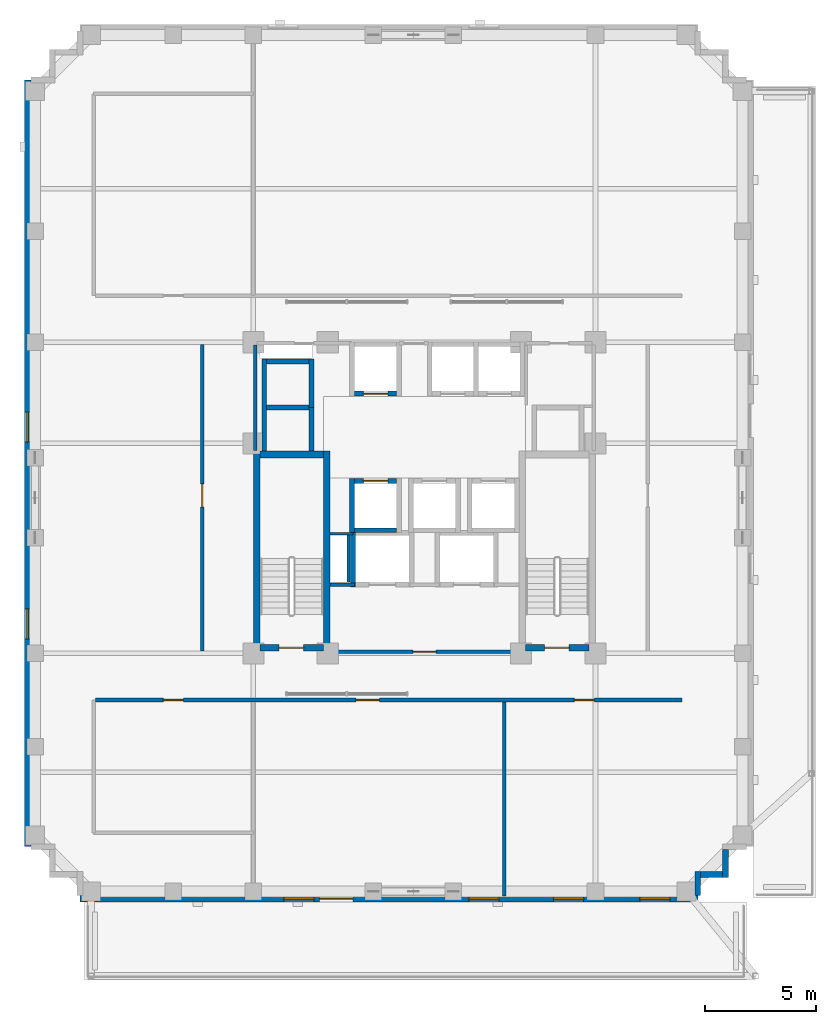
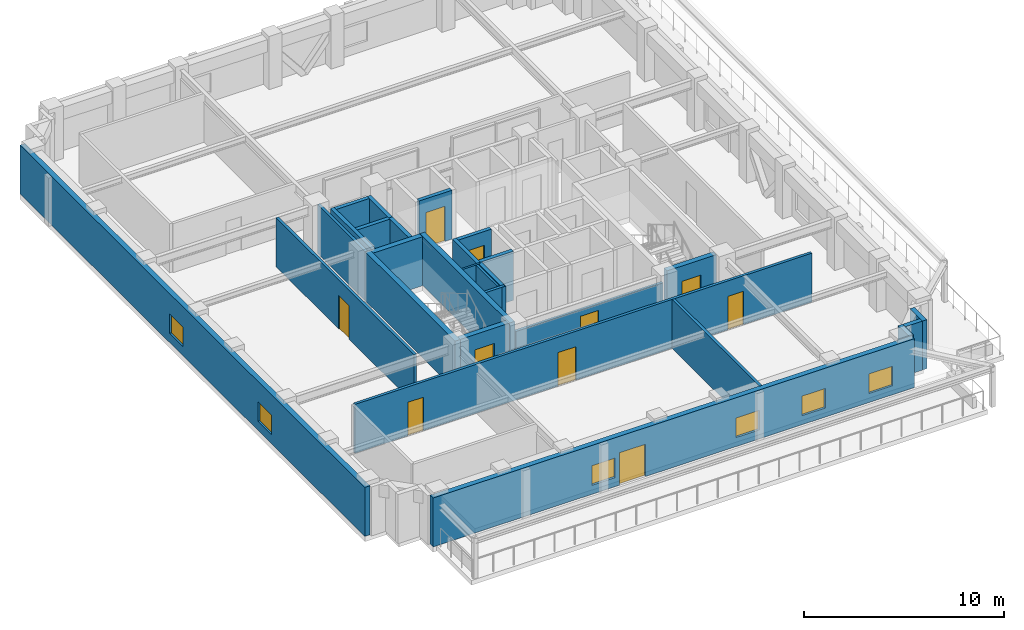
# One storey, part 8 of 15: 28 walls, 10 doors, 6 windows, 16 openings.
"""IFC4 building model written with IfcOpenShell, lengths in metres."""

from ifc_helpers import new_model, si_unit, derived_unit, direction, frame, frame_2d, origin, place, context, subcontext, project, spatial, rectangle, extrude, material, layer, layer_set, type_object, element, fill, save


model = new_model("IFC4")

# Units and contexts
model_context = context("Model", 3, precision=1e-05, world=origin(), true_north=direction((0.0, 1.0)))
body_context = subcontext(model_context, "Body", "Model", "MODEL_VIEW")
ifc_project = project(units=[si_unit("LENGTHUNIT", "METRE"), si_unit("AREAUNIT", "SQUARE_METRE"), si_unit("VOLUMEUNIT", "CUBIC_METRE"), si_unit("PLANEANGLEUNIT", "RADIAN"), si_unit("MASSUNIT", "GRAM", prefix="KILO"), derived_unit("THERMALTRANSMITTANCEUNIT", [(si_unit("MASSUNIT", "GRAM", prefix="KILO"), 1), (si_unit("TIMEUNIT", "SECOND"), -3), (si_unit("THERMODYNAMICTEMPERATUREUNIT", "KELVIN"), -1)])], contexts=[model_context])

# Site, building, storey
site_placement = place(None, origin())
site = spatial("IfcSite", under=ifc_project, at=site_placement, CompositionType="ELEMENT")
building_placement = place(site_placement, origin())
building = spatial("IfcBuilding", under=site, at=building_placement, Name="Korrvale Station Residences", CompositionType="ELEMENT")
storey_placement = place(building_placement, frame((0.0, 0.0, 124.39990234375)))
storey = spatial("IfcBuildingStorey", under=building, at=storey_placement, Name="L35", CompositionType="ELEMENT", Elevation=124.39990234375)

# Walls
ifc_material_1 = material(Name="Concrete C60/75", Category="concrete")
ifc_layer_1 = layer(ifc_material_1, 0.300048828125, Name="Concrete C60/75")
ifc_layer_set_1 = layer_set([ifc_layer_1], Name="Concrete C60/75")
wall_type_1 = type_object("IfcWallType", Name="WAL-CORE-300-C60", PredefinedType="SHEAR", material=ifc_layer_set_1)
for number, where, z_axis, x_axis, name in (
    (1, (17.949951171875, 15.10009765625, 0.0), (0.0, 0.0, 1.0), (0.0, 1.0, 0.0), "L35 ST-1 Core Shear Wall West"),
    (2, (21.10009765625, 15.10009765625, 0.0), (0.0, 0.0, 1.0), (0.0, 1.0, 0.0), "L35 ST-1 Core Shear Wall East"),
):
    element("IfcWall", number, at=place(storey_placement, frame(where, z_axis=z_axis, x_axis=x_axis)), inside=storey, type_object=wall_type_1, Name=name, PredefinedType="SHEAR", context=body_context, shape_type="SweptSolid", body=[
        extrude(rectangle(XDim=9.0, YDim=0.300048828125, at=frame_2d((4.5, 0.0))), origin(), (0.0, 0.0, 1.0), 2.989990234375),
    ])
wall_1_placement = place(storey_placement, frame((18.10009765625, 23.949951171875, 0.0), z_axis=(0.0, 0.0, 1.0), x_axis=(1.0, 0.0, 0.0)))
element("IfcWall", 3, at=wall_1_placement, inside=storey, type_object=wall_type_1, Name="L35 ST-1 Core Shear Wall North", PredefinedType="SHEAR", context=body_context, shape_type="SweptSolid", body=[
    extrude(rectangle(XDim=2.849853515625, YDim=0.300048828125, at=frame_2d((1.4248046875, 0.0))), origin(), (0.0, 0.0, 1.0), 2.989990234375),
])

# Wall, opening, door
wall_2_placement = place(storey_placement, frame((18.10009765625, 15.25, 0.0), z_axis=(0.0, 0.0, 1.0), x_axis=(1.0, 0.0, 0.0)))
wall_2 = element("IfcWall", 4, at=wall_2_placement, inside=storey, type_object=wall_type_1, Name="L35 ST-1 Core Shear Wall South", PredefinedType="SHEAR", context=body_context, shape_type="SweptSolid", body=[
    extrude(rectangle(XDim=2.849853515625, YDim=0.300048828125, at=frame_2d((1.4248046875, 0.0))), origin(), (0.0, 0.0, 1.0), 2.989990234375),
])
opening_1_placement = place(wall_2_placement, frame((0.860107421875, 0.0, 0.0)))
opening_1 = element("IfcOpeningElement", 5, at=opening_1_placement, cuts=wall_2, Name="Opening SD-1100", PredefinedType="OPENING", context=body_context, shape_type="SweptSolid", body=[
    extrude(rectangle(XDim=1.10009765625, YDim=2.050048828125, at=frame_2d((0.550048828125, 1.02490234375))), frame((0.0, 0.16015625, 0.0), z_axis=(0.0, -1.0, 0.0), x_axis=(1.0, 0.0, 0.0)), (0.0, 0.0, 1.0), 0.320068359375),
])
ifc_material_2 = material(Name="Hollow-metal fire-rated stair door with closer", Category="steel")
door_type_1 = type_object("IfcDoorType", Name="DR-STAIR-1100", OperationType="NOTDEFINED", PredefinedType="DOOR", material=ifc_material_2)
door_1_placement = place(opening_1_placement, origin())
door_1 = element("IfcDoor", 6, at=door_1_placement, inside=storey, type_object=door_type_1, Name="L35 ST-1 Exit Stair Door", OperationType="SINGLE_SWING_LEFT", OverallHeight=2.050048828125, OverallWidth=1.10009765625, PredefinedType="DOOR", context=body_context, shape_type="SweptSolid", body=[
    extrude(rectangle(XDim=1.10009765625, YDim=2.050048828125, at=frame_2d((0.550048828125, 1.02490234375))), frame((0.0, 0.02490234375, 0.0), z_axis=(0.0, -1.0, 0.0), x_axis=(1.0, 0.0, 0.0)), (0.0, 0.0, 1.0), 0.050048828125),
])
fill(opening_1, door_1)

wall_3_placement = place(storey_placement, frame((30.050048828125, 15.25, 0.0), z_axis=(0.0, 0.0, 1.0), x_axis=(1.0, 0.0, 0.0)))
wall_3 = element("IfcWall", 7, at=wall_3_placement, inside=storey, type_object=wall_type_1, Name="L35 ST-2 Core Shear Wall South", PredefinedType="SHEAR", context=body_context, shape_type="SweptSolid", body=[
    extrude(rectangle(XDim=2.849853515625, YDim=0.300048828125, at=frame_2d((1.4248046875, 0.0))), origin(), (0.0, 0.0, 1.0), 2.989990234375),
])
opening_2_placement = place(wall_3_placement, frame((0.860107421875, 0.0, 0.0)))
opening_2 = element("IfcOpeningElement", 8, at=opening_2_placement, cuts=wall_3, Name="Opening SD-1100", PredefinedType="OPENING", context=body_context, shape_type="SweptSolid", body=[
    extrude(rectangle(XDim=1.10009765625, YDim=2.050048828125, at=frame_2d((0.550048828125, 1.02490234375))), frame((0.0, 0.16015625, 0.0), z_axis=(0.0, -1.0, 0.0), x_axis=(1.0, 0.0, 0.0)), (0.0, 0.0, 1.0), 0.320068359375),
])
door_2_placement = place(opening_2_placement, origin())
door_2 = element("IfcDoor", 9, at=door_2_placement, inside=storey, type_object=door_type_1, Name="L35 ST-2 Exit Stair Door", OperationType="SINGLE_SWING_RIGHT", OverallHeight=2.050048828125, OverallWidth=1.10009765625, PredefinedType="DOOR", context=body_context, shape_type="SweptSolid", body=[
    extrude(rectangle(XDim=1.10009765625, YDim=2.050048828125, at=frame_2d((0.550048828125, 1.02490234375))), frame((0.0, 0.02490234375, 0.0), z_axis=(0.0, -1.0, 0.0), x_axis=(1.0, 0.0, 0.0)), (0.0, 0.0, 1.0), 0.050048828125),
])
fill(opening_2, door_2)

# Walls
ifc_material_3 = material(Name="Precast concrete C45/55", Category="concrete")
ifc_layer_2 = layer(ifc_material_3, 0.260009765625, Name="Precast concrete C45/55")
ifc_layer_set_2 = layer_set([ifc_layer_2], Name="Precast concrete C45/55")
wall_type_2 = type_object("IfcWallType", Name="WAL-EXT-LOG260", PredefinedType="SOLIDWALL", material=ifc_layer_set_2)
wall_4_placement = place(storey_placement, frame((39.050048828125, 6.16796875, 0.0), z_axis=(0.0, 0.0, 1.0), x_axis=(0.0, -1.0, 0.0)))
element("IfcWall", 10, at=wall_4_placement, inside=storey, type_object=wall_type_2, Name="L35 Serrated Corner Precast Step SE-2", PredefinedType="SOLIDWALL", context=body_context, shape_type="SweptSolid", body=[
    extrude(rectangle(XDim=1.248046875, YDim=0.260009765625, at=frame_2d((0.6240234375, 0.0))), origin(), (0.0, 0.0, 1.0), 2.989990234375),
])
wall_5_placement = place(storey_placement, frame((38.91796875, 5.050048828125, 0.0), z_axis=(0.0, 0.0, 1.0), x_axis=(-1.0, 0.0, 0.0)))
element("IfcWall", 11, at=wall_5_placement, inside=storey, type_object=wall_type_2, Name="L35 Serrated Corner Precast Step SE-3", PredefinedType="SOLIDWALL", context=body_context, shape_type="SweptSolid", body=[
    extrude(rectangle(XDim=0.986083984375, YDim=0.260009765625, at=frame_2d((0.4931640625, 0.0))), origin(), (0.0, 0.0, 1.0), 2.989990234375),
])
wall_6_placement = place(storey_placement, frame((37.800048828125, 5.179931640625, 0.0), z_axis=(0.0, 0.0, 1.0), x_axis=(0.0, -1.0, 0.0)))
element("IfcWall", 12, at=wall_6_placement, inside=storey, type_object=wall_type_2, Name="L35 Serrated Corner Precast Step SE-4", PredefinedType="SOLIDWALL", context=body_context, shape_type="SweptSolid", body=[
    extrude(rectangle(XDim=1.077880859375, YDim=0.260009765625, at=frame_2d((0.5390625, 0.0))), origin(), (0.0, 0.0, 1.0), 2.989990234375),
])

# Wall, openings, door, windows
ifc_layer_3 = layer(ifc_material_3, 0.300048828125, Name="Precast concrete C45/55")
ifc_layer_set_3 = layer_set([ifc_layer_3], Name="Precast concrete C45/55")
wall_type_3 = type_object("IfcWallType", Name="WAL-EXT-PC300", PredefinedType="SOLIDWALL", material=ifc_layer_set_3)
wall_7_placement = place(storey_placement, frame((37.800048828125, 3.949951171875, 0.0), z_axis=(0.0, 0.0, 1.0), x_axis=(-1.0, 0.0, 0.0)))
wall_7 = element("IfcWall", 13, at=wall_7_placement, inside=storey, type_object=wall_type_3, Name="L35 South Exterior Precast Wall 1", PredefinedType="SOLIDWALL", context=body_context, shape_type="SweptSolid", body=[
    extrude(rectangle(XDim=27.800048828125, YDim=0.300048828125, at=frame_2d((13.89990234375, 0.0))), origin(), (0.0, 0.0, 1.0), 2.989990234375),
])
opening_3_placement = place(wall_7_placement, frame((15.52001953125, 0.0, 0.0)))
opening_3 = element("IfcOpeningElement", 14, at=opening_3_placement, cuts=wall_7, Name="Opening TD-01", PredefinedType="OPENING", context=body_context, shape_type="SweptSolid", body=[
    extrude(rectangle(XDim=1.5, YDim=1.98193359375, at=frame_2d((0.75, 0.990966796875))), frame((0.0, 0.16015625, 0.0), z_axis=(0.0, -1.0, 0.0), x_axis=(1.0, 0.0, 0.0)), (0.0, 0.0, 1.0), 0.320068359375),
])
opening_4_placement = place(wall_7_placement, frame((17.280029296875, 0.0, 0.550048828125)))
opening_4 = element("IfcOpeningElement", 15, at=opening_4_placement, cuts=wall_7, Name="Opening W-10", PredefinedType="OPENING", context=body_context, shape_type="SweptSolid", body=[
    extrude(rectangle(XDim=1.35009765625, YDim=1.199951171875, at=frame_2d((0.675048828125, 0.60009765625))), frame((0.0, 0.16015625, 0.0), z_axis=(0.0, -1.0, 0.0), x_axis=(1.0, 0.0, 0.0)), (0.0, 0.0, 1.0), 0.320068359375),
])
opening_5_placement = place(wall_7_placement, frame((8.949951171875, 0.0, 0.550048828125)))
opening_5 = element("IfcOpeningElement", 16, at=opening_5_placement, cuts=wall_7, Name="Opening W-10", PredefinedType="OPENING", context=body_context, shape_type="SweptSolid", body=[
    extrude(rectangle(XDim=1.35009765625, YDim=1.199951171875, at=frame_2d((0.675048828125, 0.60009765625))), frame((0.0, 0.16015625, 0.0), z_axis=(0.0, -1.0, 0.0), x_axis=(1.0, 0.0, 0.0)), (0.0, 0.0, 1.0), 0.320068359375),
])
opening_6_placement = place(wall_7_placement, frame((5.135009765625, 0.0, 0.550048828125)))
opening_6 = element("IfcOpeningElement", 17, at=opening_6_placement, cuts=wall_7, Name="Opening W-10", PredefinedType="OPENING", context=body_context, shape_type="SweptSolid", body=[
    extrude(rectangle(XDim=1.35009765625, YDim=1.199951171875, at=frame_2d((0.675048828125, 0.60009765625))), frame((0.0, 0.16015625, 0.0), z_axis=(0.0, -1.0, 0.0), x_axis=(1.0, 0.0, 0.0)), (0.0, 0.0, 1.0), 0.320068359375),
])
opening_7_placement = place(wall_7_placement, frame((1.251953125, 0.0, 0.550048828125)))
opening_7 = element("IfcOpeningElement", 18, at=opening_7_placement, cuts=wall_7, Name="Opening W-10", PredefinedType="OPENING", context=body_context, shape_type="SweptSolid", body=[
    extrude(rectangle(XDim=1.35009765625, YDim=1.199951171875, at=frame_2d((0.675048828125, 0.60009765625))), frame((0.0, 0.16015625, 0.0), z_axis=(0.0, -1.0, 0.0), x_axis=(1.0, 0.0, 0.0)), (0.0, 0.0, 1.0), 0.320068359375),
])
ifc_material_4 = material(Name="Exterior thermally broken aluminium glazed terrace double door", Category="aluminium")
door_type_2 = type_object("IfcDoorType", Name="DR-EXT-TER", OperationType="DOUBLE_SWING_LEFT", PredefinedType="DOOR", material=ifc_material_4)
door_3_placement = place(opening_3_placement, origin())
door_3 = element("IfcDoor", 19, at=door_3_placement, inside=storey, type_object=door_type_2, Name="L35 South Setback Terrace Door", OperationType="DOUBLE_SWING_LEFT", OverallHeight=1.98193359375, OverallWidth=1.5, PredefinedType="DOOR", context=body_context, shape_type="SweptSolid", body=[
    extrude(rectangle(XDim=1.5, YDim=1.98193359375, at=frame_2d((0.75, 0.990966796875))), frame((0.0, 0.02490234375, 0.0), z_axis=(0.0, -1.0, 0.0), x_axis=(1.0, 0.0, 0.0)), (0.0, 0.0, 1.0), 0.050048828125),
])
fill(opening_3, door_3)
ifc_material_5 = material(Name="Thermally broken aluminium frame with triple low-e glazing", Category="aluminium")
window_type = type_object("IfcWindowType", Name="WIN-W10", PartitioningType="SINGLE_PANEL", PredefinedType="WINDOW", material=ifc_material_5)
window_1_placement = place(opening_4_placement, origin())
window_1 = element("IfcWindow", 20, at=window_1_placement, inside=storey, type_object=window_type, Name="L35 Punched Window 03", OverallHeight=1.199951171875, OverallWidth=1.35009765625, PartitioningType="SINGLE_PANEL", PredefinedType="WINDOW", context=body_context, shape_type="SweptSolid", body=[
    extrude(rectangle(XDim=1.35009765625, YDim=1.199951171875, at=frame_2d((0.675048828125, 0.60009765625))), frame((0.0, 0.030029296875, 0.0), z_axis=(0.0, -1.0, 0.0), x_axis=(1.0, 0.0, 0.0)), (0.0, 0.0, 1.0), 0.06005859375),
])
fill(opening_4, window_1)
window_2_placement = place(opening_5_placement, origin())
window_2 = element("IfcWindow", 21, at=window_2_placement, inside=storey, type_object=window_type, Name="L35 Punched Window 04", OverallHeight=1.199951171875, OverallWidth=1.35009765625, PartitioningType="SINGLE_PANEL", PredefinedType="WINDOW", context=body_context, shape_type="SweptSolid", body=[
    extrude(rectangle(XDim=1.35009765625, YDim=1.199951171875, at=frame_2d((0.675048828125, 0.60009765625))), frame((0.0, 0.030029296875, 0.0), z_axis=(0.0, -1.0, 0.0), x_axis=(1.0, 0.0, 0.0)), (0.0, 0.0, 1.0), 0.06005859375),
])
fill(opening_5, window_2)
window_3_placement = place(opening_6_placement, origin())
window_3 = element("IfcWindow", 22, at=window_3_placement, inside=storey, type_object=window_type, Name="L35 Punched Window 05", OverallHeight=1.199951171875, OverallWidth=1.35009765625, PartitioningType="SINGLE_PANEL", PredefinedType="WINDOW", context=body_context, shape_type="SweptSolid", body=[
    extrude(rectangle(XDim=1.35009765625, YDim=1.199951171875, at=frame_2d((0.675048828125, 0.60009765625))), frame((0.0, 0.030029296875, 0.0), z_axis=(0.0, -1.0, 0.0), x_axis=(1.0, 0.0, 0.0)), (0.0, 0.0, 1.0), 0.06005859375),
])
fill(opening_6, window_3)
window_4_placement = place(opening_7_placement, origin())
window_4 = element("IfcWindow", 23, at=window_4_placement, inside=storey, type_object=window_type, Name="L35 Punched Window 06", OverallHeight=1.199951171875, OverallWidth=1.35009765625, PartitioningType="SINGLE_PANEL", PredefinedType="WINDOW", context=body_context, shape_type="SweptSolid", body=[
    extrude(rectangle(XDim=1.35009765625, YDim=1.199951171875, at=frame_2d((0.675048828125, 0.60009765625))), frame((0.0, 0.030029296875, 0.0), z_axis=(0.0, -1.0, 0.0), x_axis=(1.0, 0.0, 0.0)), (0.0, 0.0, 1.0), 0.06005859375),
])
fill(opening_7, window_4)

# Wall, openings, windows
wall_8_placement = place(storey_placement, frame((7.64990234375, 6.300048828125, 0.0), z_axis=(0.0, 0.0, 1.0), x_axis=(0.0, 1.0, 0.0)))
wall_8 = element("IfcWall", 24, at=wall_8_placement, inside=storey, type_object=wall_type_3, Name="L35 West Exterior Precast Wall 1", PredefinedType="SOLIDWALL", context=body_context, shape_type="SweptSolid", body=[
    extrude(rectangle(XDim=34.5, YDim=0.300048828125, at=frame_2d((17.25, 0.0))), origin(), (0.0, 0.0, 1.0), 2.989990234375),
])
opening_8_placement = place(wall_8_placement, frame((18.199951171875, 0.0, 0.550048828125)))
opening_8 = element("IfcOpeningElement", 25, at=opening_8_placement, cuts=wall_8, Name="Opening W-10", PredefinedType="OPENING", context=body_context, shape_type="SweptSolid", body=[
    extrude(rectangle(XDim=1.35009765625, YDim=1.199951171875, at=frame_2d((0.675048828125, 0.60009765625))), frame((0.0, 0.16015625, 0.0), z_axis=(0.0, -1.0, 0.0), x_axis=(1.0, 0.0, 0.0)), (0.0, 0.0, 1.0), 0.320068359375),
])
opening_9_placement = place(wall_8_placement, frame((9.35009765625, 0.0, 0.550048828125)))
opening_9 = element("IfcOpeningElement", 26, at=opening_9_placement, cuts=wall_8, Name="Opening W-10", PredefinedType="OPENING", context=body_context, shape_type="SweptSolid", body=[
    extrude(rectangle(XDim=1.35009765625, YDim=1.199951171875, at=frame_2d((0.675048828125, 0.60009765625))), frame((0.0, 0.16015625, 0.0), z_axis=(0.0, -1.0, 0.0), x_axis=(1.0, 0.0, 0.0)), (0.0, 0.0, 1.0), 0.320068359375),
])
window_5_placement = place(opening_8_placement, origin())
window_5 = element("IfcWindow", 27, at=window_5_placement, inside=storey, type_object=window_type, Name="L35 Punched Window 07", OverallHeight=1.199951171875, OverallWidth=1.35009765625, PartitioningType="SINGLE_PANEL", PredefinedType="WINDOW", context=body_context, shape_type="SweptSolid", body=[
    extrude(rectangle(XDim=1.35009765625, YDim=1.199951171875, at=frame_2d((0.675048828125, 0.60009765625))), frame((0.0, 0.030029296875, 0.0), z_axis=(0.0, -1.0, 0.0), x_axis=(1.0, 0.0, 0.0)), (0.0, 0.0, 1.0), 0.06005859375),
])
fill(opening_8, window_5)
window_6_placement = place(opening_9_placement, origin())
window_6 = element("IfcWindow", 28, at=window_6_placement, inside=storey, type_object=window_type, Name="L35 Punched Window 08", OverallHeight=1.199951171875, OverallWidth=1.35009765625, PartitioningType="SINGLE_PANEL", PredefinedType="WINDOW", context=body_context, shape_type="SweptSolid", body=[
    extrude(rectangle(XDim=1.35009765625, YDim=1.199951171875, at=frame_2d((0.675048828125, 0.60009765625))), frame((0.0, 0.030029296875, 0.0), z_axis=(0.0, -1.0, 0.0), x_axis=(1.0, 0.0, 0.0)), (0.0, 0.0, 1.0), 0.06005859375),
])
fill(opening_9, window_6)

# Walls
ifc_material_6 = material(Name="Acoustic steel-stud gypsum board partition", Category="steel")
ifc_layer_4 = layer(ifc_material_6, 0.1201171875, Name="Acoustic steel-stud gypsum board partition")
ifc_layer_set_4 = layer_set([ifc_layer_4], Name="Acoustic steel-stud gypsum board partition")
wall_type_4 = type_object("IfcWallType", Name="WAL-PART-125", PredefinedType="PARTITIONING", material=ifc_layer_set_4)
wall_9_placement = place(storey_placement, frame((22.080078125, 18.199951171875, 0.0), z_axis=(0.0, 0.0, 1.0), x_axis=(0.0, 1.0, 0.0)))
element("IfcWall", 29, at=wall_9_placement, inside=storey, type_object=wall_type_4, Name="L35 Core Partition CW-RSWT", PredefinedType="PARTITIONING", context=body_context, shape_type="SweptSolid", body=[
    extrude(rectangle(XDim=2.1201171875, YDim=0.1201171875, at=frame_2d((1.06005859375, 0.0))), origin(), (0.0, 0.0, 1.0), 2.989990234375),
])
wall_10_placement = place(storey_placement, frame((22.280029296875, 20.3798828125, 0.0), z_axis=(0.0, 0.0, 1.0), x_axis=(-1.0, 0.0, 0.0)))
element("IfcWall", 30, at=wall_10_placement, inside=storey, type_object=wall_type_4, Name="L35 Core Partition CW-RSWT-N", PredefinedType="PARTITIONING", context=body_context, shape_type="SweptSolid", body=[
    extrude(rectangle(XDim=1.02001953125, YDim=0.1201171875, at=frame_2d((0.510009765625, 0.0))), origin(), (0.0, 0.0, 1.0), 2.989990234375),
])

# Wall, opening, door
ifc_material_7 = material(Name="Fire-rated twin-stud gypsum and mineral wool shaftwall assembly", Category="gypsum")
ifc_layer_5 = layer(ifc_material_7, 0.159912109375, Name="Fire-rated twin-stud gypsum and mineral wool shaftwall assembly")
ifc_layer_set_5 = layer_set([ifc_layer_5], Name="Fire-rated twin-stud gypsum and mineral wool shaftwall assembly")
wall_type_5 = type_object("IfcWallType", Name="WAL-PART-200", PredefinedType="PARTITIONING", material=ifc_layer_set_5)
wall_11_placement = place(storey_placement, frame((21.25, 15.080078125, 0.0), z_axis=(0.0, 0.0, 1.0), x_axis=(1.0, 0.0, 0.0)))
wall_11 = element("IfcWall", 31, at=wall_11_placement, inside=storey, type_object=wall_type_5, Name="L35 Core Partition CW-FFL-S", PredefinedType="PARTITIONING", context=body_context, shape_type="SweptSolid", body=[
    extrude(rectangle(XDim=8.5, YDim=0.159912109375, at=frame_2d((4.25, 0.0))), origin(), (0.0, 0.0, 1.0), 2.426025390625),
])
opening_10_placement = place(wall_11_placement, frame((3.72509765625, 0.0, 0.0)))
opening_10 = element("IfcOpeningElement", 32, at=opening_10_placement, cuts=wall_11, Name="Opening FD-1050", PredefinedType="OPENING", context=body_context, shape_type="SweptSolid", body=[
    extrude(rectangle(XDim=1.050048828125, YDim=2.050048828125, at=frame_2d((0.52490234375, 1.02490234375))), frame((0.0, 0.08984375, 0.0), z_axis=(0.0, -1.0, 0.0), x_axis=(1.0, 0.0, 0.0)), (0.0, 0.0, 1.0), 0.179931640625),
])
ifc_material_8 = material(Name="Fire-rated mineral-core timber lobby door", Category="wood")
door_type_3 = type_object("IfcDoorType", Name="DR-CORE-1050", OperationType="NOTDEFINED", PredefinedType="DOOR", material=ifc_material_8)
door_4_placement = place(opening_10_placement, origin())
door_4 = element("IfcDoor", 33, at=door_4_placement, inside=storey, type_object=door_type_3, Name="L35 Firefighting Lobby Entry Door", OperationType="SINGLE_SWING_LEFT", OverallHeight=2.050048828125, OverallWidth=1.050048828125, PredefinedType="DOOR", context=body_context, shape_type="SweptSolid", body=[
    extrude(rectangle(XDim=1.050048828125, YDim=2.050048828125, at=frame_2d((0.52490234375, 1.02490234375))), frame((0.0, 0.02490234375, 0.0), z_axis=(0.0, -1.0, 0.0), x_axis=(1.0, 0.0, 0.0)), (0.0, 0.0, 1.0), 0.050048828125),
])
fill(opening_10, door_4)

# Walls
wall_12_placement = place(storey_placement, frame((21.25, 18.080078125, 0.0), z_axis=(0.0, 0.0, 1.0), x_axis=(1.0, 0.0, 0.0)))
element("IfcWall", 34, at=wall_12_placement, inside=storey, type_object=wall_type_5, Name="L35 Core Partition CW-FFL-N1", PredefinedType="PARTITIONING", context=body_context, shape_type="SweptSolid", body=[
    extrude(rectangle(XDim=1.10009765625, YDim=0.159912109375, at=frame_2d((0.550048828125, 0.0))), origin(), (0.0, 0.0, 1.0), 2.989990234375),
])
wall_13_placement = place(storey_placement, frame((17.8798828125, 24.1201171875, 0.0), z_axis=(0.0, 0.0, 1.0), x_axis=(0.0, 1.0, 0.0)))
element("IfcWall", 35, at=wall_13_placement, inside=storey, type_object=wall_type_5, Name="L35 Core Partition CW-W-N", PredefinedType="PARTITIONING", context=body_context, shape_type="SweptSolid", body=[
    extrude(rectangle(XDim=4.759765625, YDim=0.159912109375, at=frame_2d((2.3798828125, 0.0))), origin(), (0.0, 0.0, 1.0), 2.989990234375),
])

# Wall, openings, doors
wall_14_placement = place(storey_placement, frame((10.699951171875, 12.89990234375, 0.0), z_axis=(0.0, 0.0, 1.0), x_axis=(1.0, 0.0, 0.0)))
wall_14 = element("IfcWall", 36, at=wall_14_placement, inside=storey, type_object=wall_type_5, Name="L35 Interior Partition W-SS", PredefinedType="PARTITIONING", context=body_context, shape_type="SweptSolid", body=[
    extrude(rectangle(XDim=26.400146484375, YDim=0.159912109375, at=frame_2d((13.2001953125, 0.0))), origin(), (0.0, 0.0, 1.0), 2.989990234375),
])
opening_11_placement = place(wall_14_placement, frame((3.050048828125, 0.0, 0.0)))
opening_11 = element("IfcOpeningElement", 37, at=opening_11_placement, cuts=wall_14, Name="Opening DI-900", PredefinedType="OPENING", context=body_context, shape_type="SweptSolid", body=[
    extrude(rectangle(XDim=0.89990234375, YDim=2.050048828125, at=frame_2d((0.449951171875, 1.02490234375))), frame((0.0, 0.08984375, 0.0), z_axis=(0.0, -1.0, 0.0), x_axis=(1.0, 0.0, 0.0)), (0.0, 0.0, 1.0), 0.179931640625),
])
opening_12_placement = place(wall_14_placement, frame((11.72509765625, 0.0, 0.0)))
opening_12 = element("IfcOpeningElement", 38, at=opening_12_placement, cuts=wall_14, Name="Opening FD-1050", PredefinedType="OPENING", context=body_context, shape_type="SweptSolid", body=[
    extrude(rectangle(XDim=1.050048828125, YDim=2.050048828125, at=frame_2d((0.52490234375, 1.02490234375))), frame((0.0, 0.08984375, 0.0), z_axis=(0.0, -1.0, 0.0), x_axis=(1.0, 0.0, 0.0)), (0.0, 0.0, 1.0), 0.179931640625),
])
opening_13_placement = place(wall_14_placement, frame((21.550048828125, 0.0, 0.0)))
opening_13 = element("IfcOpeningElement", 39, at=opening_13_placement, cuts=wall_14, Name="Opening DI-900", PredefinedType="OPENING", context=body_context, shape_type="SweptSolid", body=[
    extrude(rectangle(XDim=0.89990234375, YDim=2.050048828125, at=frame_2d((0.449951171875, 1.02490234375))), frame((0.0, 0.08984375, 0.0), z_axis=(0.0, -1.0, 0.0), x_axis=(1.0, 0.0, 0.0)), (0.0, 0.0, 1.0), 0.179931640625),
])
door_5_placement = place(opening_12_placement, origin())
door_5 = element("IfcDoor", 40, at=door_5_placement, inside=storey, type_object=door_type_3, Name="L35 Sky Lounge Entry Door", OperationType="SINGLE_SWING_RIGHT", OverallHeight=2.050048828125, OverallWidth=1.050048828125, PredefinedType="DOOR", context=body_context, shape_type="SweptSolid", body=[
    extrude(rectangle(XDim=1.050048828125, YDim=2.050048828125, at=frame_2d((0.52490234375, 1.02490234375))), frame((0.0, 0.02490234375, 0.0), z_axis=(0.0, -1.0, 0.0), x_axis=(1.0, 0.0, 0.0)), (0.0, 0.0, 1.0), 0.050048828125),
])
fill(opening_12, door_5)
ifc_material_9 = material(Name="Painted solid-core timber interior room door", Category="wood")
door_type_4 = type_object("IfcDoorType", Name="DR-INT-900", OperationType="NOTDEFINED", PredefinedType="DOOR", material=ifc_material_9)
door_6_placement = place(opening_11_placement, origin())
door_6 = element("IfcDoor", 41, at=door_6_placement, inside=storey, type_object=door_type_4, Name="L35 Catering Kitchen Door", OperationType="SINGLE_SWING_LEFT", OverallHeight=2.050048828125, OverallWidth=0.89990234375, PredefinedType="DOOR", context=body_context, shape_type="SweptSolid", body=[
    extrude(rectangle(XDim=0.89990234375, YDim=2.050048828125, at=frame_2d((0.449951171875, 1.02490234375))), frame((0.0, 0.02490234375, 0.0), z_axis=(0.0, -1.0, 0.0), x_axis=(1.0, 0.0, 0.0)), (0.0, 0.0, 1.0), 0.050048828125),
])
fill(opening_11, door_6)
door_7_placement = place(opening_13_placement, origin())
door_7 = element("IfcDoor", 42, at=door_7_placement, inside=storey, type_object=door_type_4, Name="L35 Sky Reading Salon Door", OperationType="SINGLE_SWING_LEFT", OverallHeight=2.050048828125, OverallWidth=0.89990234375, PredefinedType="DOOR", context=body_context, shape_type="SweptSolid", body=[
    extrude(rectangle(XDim=0.89990234375, YDim=2.050048828125, at=frame_2d((0.449951171875, 1.02490234375))), frame((0.0, 0.02490234375, 0.0), z_axis=(0.0, -1.0, 0.0), x_axis=(1.0, 0.0, 0.0)), (0.0, 0.0, 1.0), 0.050048828125),
])
fill(opening_13, door_7)

# Wall
wall_15_placement = place(storey_placement, frame((29.10009765625, 4.080078125, 0.0), z_axis=(0.0, 0.0, 1.0), x_axis=(0.0, 1.0, 0.0)))
element("IfcWall", 43, at=wall_15_placement, inside=storey, type_object=wall_type_5, Name="L35 Interior Partition W-SM3", PredefinedType="PARTITIONING", context=body_context, shape_type="SweptSolid", body=[
    extrude(rectangle(XDim=8.739990234375, YDim=0.159912109375, at=frame_2d((4.3701171875, 0.0))), origin(), (0.0, 0.0, 1.0), 2.989990234375),
])

# Wall, opening, door
wall_16_placement = place(storey_placement, frame((15.5, 15.10009765625, 0.0), z_axis=(0.0, 0.0, 1.0), x_axis=(0.0, 1.0, 0.0)))
wall_16 = element("IfcWall", 44, at=wall_16_placement, inside=storey, type_object=wall_type_5, Name="L35 Interior Partition W-SW", PredefinedType="PARTITIONING", context=body_context, shape_type="SweptSolid", body=[
    extrude(rectangle(XDim=13.7998046875, YDim=0.159912109375, at=frame_2d((6.89990234375, 0.0))), origin(), (0.0, 0.0, 1.0), 2.989990234375),
])
opening_14_placement = place(wall_16_placement, frame((6.47509765625, 0.0, 0.0)))
opening_14 = element("IfcOpeningElement", 45, at=opening_14_placement, cuts=wall_16, Name="Opening FD-1050", PredefinedType="OPENING", context=body_context, shape_type="SweptSolid", body=[
    extrude(rectangle(XDim=1.050048828125, YDim=2.050048828125, at=frame_2d((0.52490234375, 1.02490234375))), frame((0.0, 0.08984375, 0.0), z_axis=(0.0, -1.0, 0.0), x_axis=(1.0, 0.0, 0.0)), (0.0, 0.0, 1.0), 0.179931640625),
])
door_8_placement = place(opening_14_placement, origin())
door_8 = element("IfcDoor", 46, at=door_8_placement, inside=storey, type_object=door_type_3, Name="L35 Sky Reading Room Door", OperationType="SINGLE_SWING_RIGHT", OverallHeight=2.050048828125, OverallWidth=1.050048828125, PredefinedType="DOOR", context=body_context, shape_type="SweptSolid", body=[
    extrude(rectangle(XDim=1.050048828125, YDim=2.050048828125, at=frame_2d((0.52490234375, 1.02490234375))), frame((0.0, 0.02490234375, 0.0), z_axis=(0.0, -1.0, 0.0), x_axis=(1.0, 0.0, 0.0)), (0.0, 0.0, 1.0), 0.050048828125),
])
fill(opening_14, door_8)

ifc_layer_6 = layer(ifc_material_1, 0.219970703125, Name="Concrete C60/75")
ifc_layer_set_6 = layer_set([ifc_layer_6], Name="Concrete C60/75")
wall_type_6 = type_object("IfcWallType", Name="WAL-SHAFT-220-C60", PredefinedType="SHEAR", material=ifc_layer_set_6)
wall_17_placement = place(storey_placement, frame((22.35009765625, 26.68994140625, 0.0), z_axis=(0.0, 0.0, 1.0), x_axis=(1.0, 0.0, 0.0)))
wall_17 = element("IfcWall", 47, at=wall_17_placement, inside=storey, type_object=wall_type_6, Name="L35 Elevator PL-1 Hoistway Wall South", PredefinedType="SHEAR", context=body_context, shape_type="SweptSolid", body=[
    extrude(rectangle(XDim=1.89990234375, YDim=0.219970703125, at=frame_2d((0.949951171875, 0.0))), origin(), (0.0, 0.0, 1.0), 2.989990234375),
])
opening_15_placement = place(wall_17_placement, frame((0.39990234375, 0.0, 0.0)))
opening_15 = element("IfcOpeningElement", 48, at=opening_15_placement, cuts=wall_17, Name="Opening LD-1100", PredefinedType="OPENING", context=body_context, shape_type="SweptSolid", body=[
    extrude(rectangle(XDim=1.10009765625, YDim=2.14990234375, at=frame_2d((0.550048828125, 1.074951171875))), frame((0.0, 0.1201171875, 0.0), z_axis=(0.0, -1.0, 0.0), x_axis=(1.0, 0.0, 0.0)), (0.0, 0.0, 1.0), 0.239990234375),
])
ifc_material_10 = material(Name="Brushed stainless-steel elevator landing sliding door", Category="steel")
door_type_5 = type_object("IfcDoorType", Name="DR-LIFT-1100", OperationType="SLIDING_TO_LEFT", PredefinedType="DOOR", material=ifc_material_10)
door_9_placement = place(opening_15_placement, origin())
door_9 = element("IfcDoor", 49, at=door_9_placement, inside=storey, type_object=door_type_5, Name="L35 Elevator PL-1 Sliding Landing Door", OperationType="SLIDING_TO_LEFT", OverallHeight=2.14990234375, OverallWidth=1.10009765625, PredefinedType="DOOR", context=body_context, shape_type="SweptSolid", body=[
    extrude(rectangle(XDim=1.10009765625, YDim=2.14990234375, at=frame_2d((0.550048828125, 1.074951171875))), frame((0.0, 0.02490234375, 0.0), z_axis=(0.0, -1.0, 0.0), x_axis=(1.0, 0.0, 0.0)), (0.0, 0.0, 1.0), 0.050048828125),
])
fill(opening_15, door_9)

# Wall
wall_18_placement = place(storey_placement, frame((22.35009765625, 20.5400390625, 0.0), z_axis=(0.0, 0.0, 1.0), x_axis=(1.0, 0.0, 0.0)))
element("IfcWall", 50, at=wall_18_placement, inside=storey, type_object=wall_type_6, Name="L35 Elevator PM-1 Hoistway Wall South", PredefinedType="SHEAR", context=body_context, shape_type="SweptSolid", body=[
    extrude(rectangle(XDim=1.89990234375, YDim=0.219970703125, at=frame_2d((0.949951171875, 0.0))), origin(), (0.0, 0.0, 1.0), 2.989990234375),
])

# Wall, opening, door
wall_19_placement = place(storey_placement, frame((22.35009765625, 22.760009765625, 0.0), z_axis=(0.0, 0.0, 1.0), x_axis=(1.0, 0.0, 0.0)))
wall_19 = element("IfcWall", 51, at=wall_19_placement, inside=storey, type_object=wall_type_6, Name="L35 Elevator PM-1 Hoistway Wall North", PredefinedType="SHEAR", context=body_context, shape_type="SweptSolid", body=[
    extrude(rectangle(XDim=1.89990234375, YDim=0.219970703125, at=frame_2d((0.949951171875, 0.0))), origin(), (0.0, 0.0, 1.0), 2.989990234375),
])
opening_16_placement = place(wall_19_placement, frame((0.39990234375, 0.0, 0.0)))
opening_16 = element("IfcOpeningElement", 52, at=opening_16_placement, cuts=wall_19, Name="Opening LD-1100", PredefinedType="OPENING", context=body_context, shape_type="SweptSolid", body=[
    extrude(rectangle(XDim=1.10009765625, YDim=2.14990234375, at=frame_2d((0.550048828125, 1.074951171875))), frame((0.0, 0.1201171875, 0.0), z_axis=(0.0, -1.0, 0.0), x_axis=(1.0, 0.0, 0.0)), (0.0, 0.0, 1.0), 0.239990234375),
])
door_10_placement = place(opening_16_placement, origin())
door_10 = element("IfcDoor", 53, at=door_10_placement, inside=storey, type_object=door_type_5, Name="L35 Elevator PM-1 Sliding Landing Door", OperationType="SLIDING_TO_LEFT", OverallHeight=2.14990234375, OverallWidth=1.10009765625, PredefinedType="DOOR", context=body_context, shape_type="SweptSolid", body=[
    extrude(rectangle(XDim=1.10009765625, YDim=2.14990234375, at=frame_2d((0.550048828125, 1.074951171875))), frame((0.0, 0.02490234375, 0.0), z_axis=(0.0, -1.0, 0.0), x_axis=(1.0, 0.0, 0.0)), (0.0, 0.0, 1.0), 0.050048828125),
])
fill(opening_16, door_10)

# Walls
wall_20_placement = place(storey_placement, frame((22.239990234375, 20.429931640625, 0.0), z_axis=(0.0, 0.0, 1.0), x_axis=(0.0, 1.0, 0.0)))
element("IfcWall", 54, at=wall_20_placement, inside=storey, type_object=wall_type_6, Name="L35 Elevator PM-1 Hoistway Wall West", PredefinedType="SHEAR", context=body_context, shape_type="SweptSolid", body=[
    extrude(rectangle(XDim=2.440185546875, YDim=0.219970703125, at=frame_2d((1.22021484375, 0.0))), origin(), (0.0, 0.0, 1.0), 2.989990234375),
])
wall_21_placement = place(storey_placement, frame((18.2900390625, 24.10009765625, 0.0), z_axis=(0.0, 0.0, 1.0), x_axis=(0.0, 1.0, 0.0)))
element("IfcWall", 55, at=wall_21_placement, inside=storey, type_object=wall_type_6, Name="L35 Elevator PH-1 Hoistway Wall West", PredefinedType="SHEAR", context=body_context, shape_type="SweptSolid", body=[
    extrude(rectangle(XDim=4.139892578125, YDim=0.219970703125, at=frame_2d((2.06982421875, 0.0))), origin(), (0.0, 0.0, 1.0), 2.989990234375),
])
wall_22_placement = place(storey_placement, frame((20.409912109375, 24.10009765625, 0.0), z_axis=(0.0, 0.0, 1.0), x_axis=(0.0, 1.0, 0.0)))
element("IfcWall", 56, at=wall_22_placement, inside=storey, type_object=wall_type_6, Name="L35 Elevator PH-1 Hoistway Wall East", PredefinedType="SHEAR", context=body_context, shape_type="SweptSolid", body=[
    extrude(rectangle(XDim=1.9599609375, YDim=0.219970703125, at=frame_2d((0.97998046875, 0.0))), origin(), (0.0, 0.0, 1.0), 2.989990234375),
])
for number, where, z_axis, x_axis, name in (
    (57, (18.39990234375, 26.06005859375, 0.0), (0.0, 0.0, 1.0), (1.0, 0.0, 0.0), "L35 Elevator PH-2 Hoistway Wall South"),
    (58, (18.39990234375, 28.1298828125, 0.0), (0.0, 0.0, 1.0), (1.0, 0.0, 0.0), "L35 Elevator PH-2 Hoistway Wall North"),
):
    element("IfcWall", number, at=place(storey_placement, frame(where, z_axis=z_axis, x_axis=x_axis)), inside=storey, type_object=wall_type_6, Name=name, PredefinedType="SHEAR", context=body_context, shape_type="SweptSolid", body=[
        extrude(rectangle(XDim=1.900146484375, YDim=0.219970703125, at=frame_2d((0.9501953125, 0.0))), origin(), (0.0, 0.0, 1.0), 2.989990234375),
    ])
wall_23_placement = place(storey_placement, frame((20.409912109375, 26.06005859375, 0.0), z_axis=(0.0, 0.0, 1.0), x_axis=(0.0, 1.0, 0.0)))
element("IfcWall", 59, at=wall_23_placement, inside=storey, type_object=wall_type_6, Name="L35 Elevator PH-2 Hoistway Wall East", PredefinedType="SHEAR", context=body_context, shape_type="SweptSolid", body=[
    extrude(rectangle(XDim=2.179931640625, YDim=0.219970703125, at=frame_2d((1.08984375, 0.0))), origin(), (0.0, 0.0, 1.0), 2.989990234375),
])
wall_24_placement = place(storey_placement, frame((22.2900390625, 17.97998046875, 0.0), z_axis=(0.0, 0.0, 1.0), x_axis=(0.0, 1.0, 0.0)))
element("IfcWall", 60, at=wall_24_placement, inside=storey, type_object=wall_type_6, Name="L35 Elevator FFL-1 Hoistway Wall West", PredefinedType="SHEAR", context=body_context, shape_type="SweptSolid", body=[
    extrude(rectangle(XDim=2.5400390625, YDim=0.219970703125, at=frame_2d((1.27001953125, 0.0))), origin(), (0.0, 0.0, 1.0), 2.989990234375),
])

save(model, "model.ifc")
